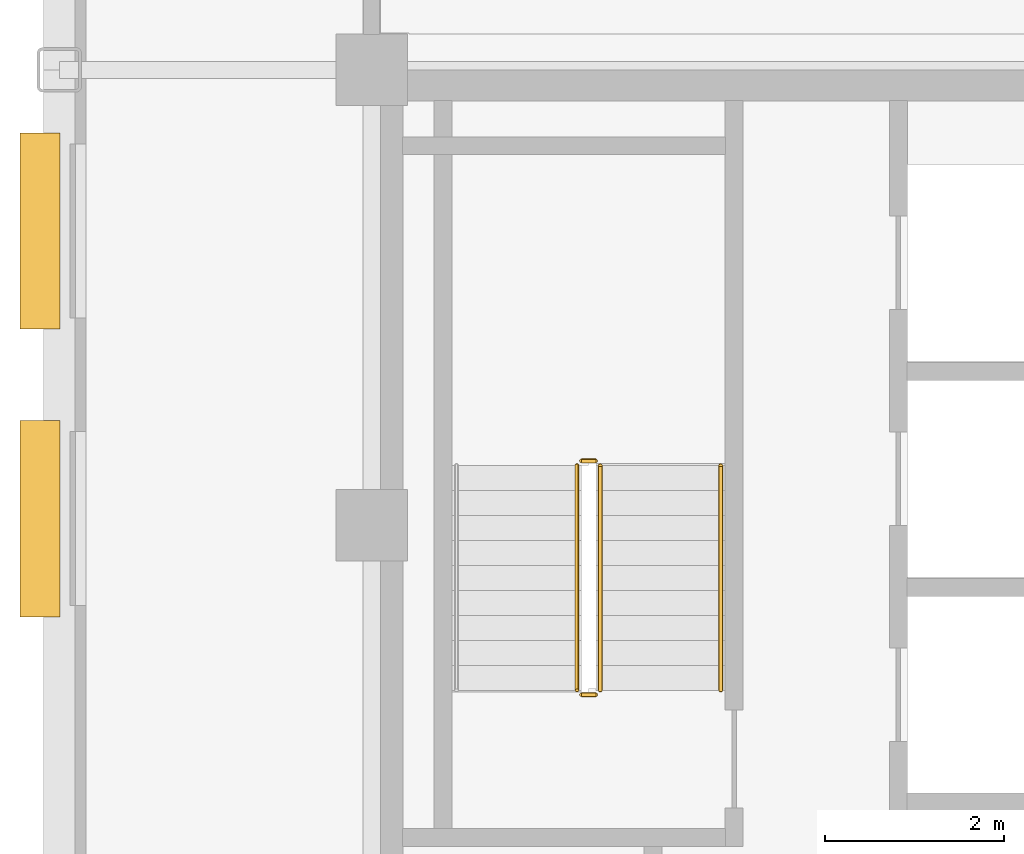
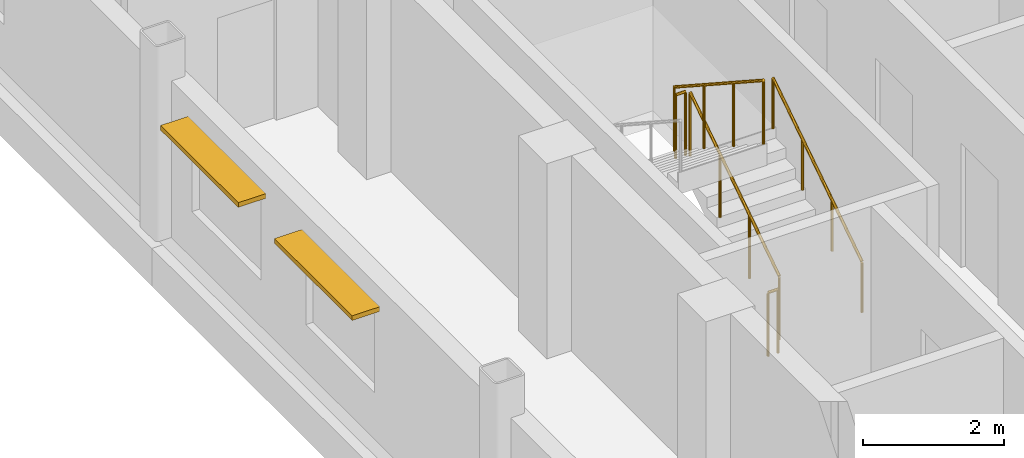
# One storey, part 11 of 14: 5 railings, 2 shading devices.
"""IFC4 building model written with IfcOpenShell, lengths in metres."""

from ifc_helpers import new_model, si_unit, direction, frame, origin, origin_2d, place, context, subcontext, project, spatial, rectangle, circle, extrude, source, transform, mapped, material, type_object, type_shapes, element, save


model = new_model("IFC4")

# Units and contexts
model_context = context("Model", 3, precision=1e-05, world=origin(), true_north=direction((0.0, 1.0)))
body_context = subcontext(model_context, "Body", "Model", "MODEL_VIEW")
ifc_project = project(units=[si_unit("LENGTHUNIT", "METRE"), si_unit("AREAUNIT", "SQUARE_METRE"), si_unit("VOLUMEUNIT", "CUBIC_METRE"), si_unit("PLANEANGLEUNIT", "RADIAN"), si_unit("MASSUNIT", "GRAM", prefix="KILO")], contexts=[model_context])

# Site, building, storey
site_placement = place(None, origin())
site = spatial("IfcSite", under=ifc_project, at=site_placement, CompositionType="ELEMENT")
building_placement = place(site_placement, origin())
building = spatial("IfcBuilding", under=site, at=building_placement, Name="Nuvemarco Arch Tower", CompositionType="ELEMENT")
storey_placement = place(building_placement, frame((0.0, 0.0, 272.550048828125)))
storey = spatial("IfcBuildingStorey", under=building, at=storey_placement, Name="L72", CompositionType="ELEMENT", Elevation=272.550048828125)

# Railings
ifc_material_1 = material(Name="Brushed stainless steel handrail", Category="steel")
railing_type_1 = type_object("IfcRailingType", Name="RL-HANDRAIL-900", PredefinedType="HANDRAIL", material=ifc_material_1)
railing_1_placement = place(storey_placement, frame((-13.590087890625, 2.64990234375, 0.182373046875)))
element("IfcRailing", 1, at=railing_1_placement, inside=storey, type_object=railing_type_1, Name="L72 ST-1 stair handrail 1", PredefinedType="HANDRAIL", context=body_context, shape_type="SweptSolid", body=[
    extrude(circle(Radius=0.02392578125, at=origin_2d()), frame((0.0, 0.0, 0.8759765625), z_axis=(0.0, 0.837749427056, 0.546054848405), x_axis=(-1.0, 0.0, 0.0)), (0.0, 0.0, 1.0), 3.008056640625),
    extrude(circle(Radius=0.02099609375, at=origin_2d()), origin(), (0.0, 0.0, 1.0), 0.851806640625),
    extrude(circle(Radius=0.02099609375, at=origin_2d()), frame((0.0, 0.840087890625, 0.547607421875)), (0.0, 0.0, 1.0), 0.851806640625),
    extrude(circle(Radius=0.02099609375, at=origin_2d()), frame((0.0, 1.679931640625, 1.094970703125)), (0.0, 0.0, 1.0), 0.851806640625),
    extrude(circle(Radius=0.02099609375, at=origin_2d()), frame((0.0, 2.52001953125, 1.642578125)), (0.0, 0.0, 1.0), 0.851806640625),
])
ifc_material_2 = material(Name="Painted balustrade steel S355", Category="steel")
railing_type_2 = type_object("IfcRailingType", Name="RL-STAIR-GUARD", PredefinedType="GUARDRAIL", material=ifc_material_2)
railing_2_placement = place(storey_placement, frame((-14.93994140625, 2.64990234375, 0.182373046875)))
element("IfcRailing", 2, at=railing_2_placement, inside=storey, type_object=railing_type_2, Name="L72 ST-1 stair guard 1", PredefinedType="GUARDRAIL", context=body_context, shape_type="SweptSolid", body=[
    extrude(circle(Radius=0.02392578125, at=origin_2d()), frame((0.0, 0.0, 1.09619140625), z_axis=(0.0, 0.837749427056, 0.546054848405), x_axis=(-1.0, 0.0, 0.0)), (0.0, 0.0, 1.0), 3.008056640625),
    extrude(circle(Radius=0.02099609375, at=origin_2d()), origin(), (0.0, 0.0, 1.0), 1.072021484375),
    extrude(circle(Radius=0.02099609375, at=origin_2d()), frame((0.0, 0.840087890625, 0.547607421875)), (0.0, 0.0, 1.0), 1.072021484375),
    extrude(circle(Radius=0.02099609375, at=origin_2d()), frame((0.0, 1.679931640625, 1.094970703125)), (0.0, 0.0, 1.0), 1.072021484375),
    extrude(circle(Radius=0.02099609375, at=origin_2d()), frame((0.0, 2.52001953125, 1.642578125)), (0.0, 0.0, 1.0), 1.072021484375),
])
railing_3_placement = place(storey_placement, frame((-14.989990234375, 5.219970703125, 1.824951171875)))
element("IfcRailing", 3, at=railing_3_placement, inside=storey, type_object=railing_type_2, Name="L72 ST-1 stair guard 2", PredefinedType="GUARDRAIL", context=body_context, shape_type="SweptSolid", body=[
    extrude(circle(Radius=0.02392578125, at=origin_2d()), frame((0.0, 0.0, 1.09619140625), z_axis=(-1.0, 0.0, 0.0), x_axis=(0.0, -1.0, 0.0)), (0.0, 0.0, 1.0), 0.159912109375),
    extrude(circle(Radius=0.02099609375, at=origin_2d()), origin(), (0.0, 0.0, 1.0), 1.072021484375),
    extrude(circle(Radius=0.02099609375, at=origin_2d()), frame((-0.159912109375, 0.0, 0.0)), (0.0, 0.0, 1.0), 1.072021484375),
])
railing_4_placement = place(storey_placement, frame((-15.199951171875, 5.169921875, 2.007568359375)))
element("IfcRailing", 4, at=railing_4_placement, inside=storey, type_object=railing_type_2, Name="L72 ST-1 stair guard 3", PredefinedType="GUARDRAIL", context=body_context, shape_type="SweptSolid", body=[
    extrude(circle(Radius=0.02392578125, at=origin_2d()), frame((0.0, 0.0, 1.09619140625), z_axis=(0.0, -0.837786554691, 0.545997883492), x_axis=(1.0, 0.0, 0.0)), (0.0, 0.0, 1.0), 3.008056640625),
    extrude(circle(Radius=0.02099609375, at=origin_2d()), origin(), (0.0, 0.0, 1.0), 1.072021484375),
    extrude(circle(Radius=0.02099609375, at=origin_2d()), frame((0.0, -0.840087890625, 0.54736328125)), (0.0, 0.0, 1.0), 1.072021484375),
    extrude(circle(Radius=0.02099609375, at=origin_2d()), frame((0.0, -1.679931640625, 1.094970703125)), (0.0, 0.0, 1.0), 1.072021484375),
    extrude(circle(Radius=0.02099609375, at=origin_2d()), frame((0.0, -2.52001953125, 1.642333984375)), (0.0, 0.0, 1.0), 1.072021484375),
])
railing_5_placement = place(storey_placement, frame((-14.989990234375, 2.60009765625, 0.0)))
element("IfcRailing", 5, at=railing_5_placement, inside=storey, type_object=railing_type_2, Name="L72 ST-1 stair guard 4", PredefinedType="GUARDRAIL", context=body_context, shape_type="SweptSolid", body=[
    extrude(circle(Radius=0.02392578125, at=origin_2d()), frame((0.0, 0.0, 1.09619140625), z_axis=(-1.0, 0.0, 0.0), x_axis=(0.0, -1.0, 0.0)), (0.0, 0.0, 1.0), 0.159912109375),
    extrude(circle(Radius=0.02099609375, at=origin_2d()), origin(), (0.0, 0.0, 1.0), 1.072021484375),
    extrude(circle(Radius=0.02099609375, at=origin_2d()), frame((-0.159912109375, 0.0, 0.0)), (0.0, 0.0, 1.0), 1.072021484375),
])

# Shading devices
ifc_material_3 = material(Name="Anodised aluminium 6063-T6", Category="aluminium")
shading_device_type = type_object("IfcShadingDeviceType", Name="SHD-BRISE-SOLEIL", PredefinedType="USERDEFINED", material=ifc_material_3)
shared_shape = source(origin(), body_context, "Body", "SweptSolid", [
    extrude(rectangle(XDim=2.199951171875, YDim=0.449951171875, at=origin_2d()), origin(), (0.0, 0.0, 1.0), 0.080078125),
])
type_shapes(shading_device_type, [shared_shape])
for number, where, z_axis, x_axis, name in (
    (6, (-21.215087890625, 4.572509765625, 2.284912109375), (0.0, 0.0, 1.0), (0.0, 1.0, 0.0), "L72 horizontal brise-soleil sunshade"),
    (7, (-21.215087890625, 7.795166015625, 2.284912109375), (0.0, 0.0, 1.0), (0.0, 1.0, 0.0), "L72 horizontal brise-soleil sunshade"),
):
    element("IfcShadingDevice", number, at=place(storey_placement, frame(where, z_axis=z_axis, x_axis=x_axis)), inside=storey, type_object=shading_device_type, Name=name, ObjectType="SUNSHADE", PredefinedType="USERDEFINED", context=body_context, shape_type="MappedRepresentation", body=[
        mapped(shared_shape, transform((0.0, 0.0, 0.0), scale=1.0)),
    ])

save(model, "model.ifc")
